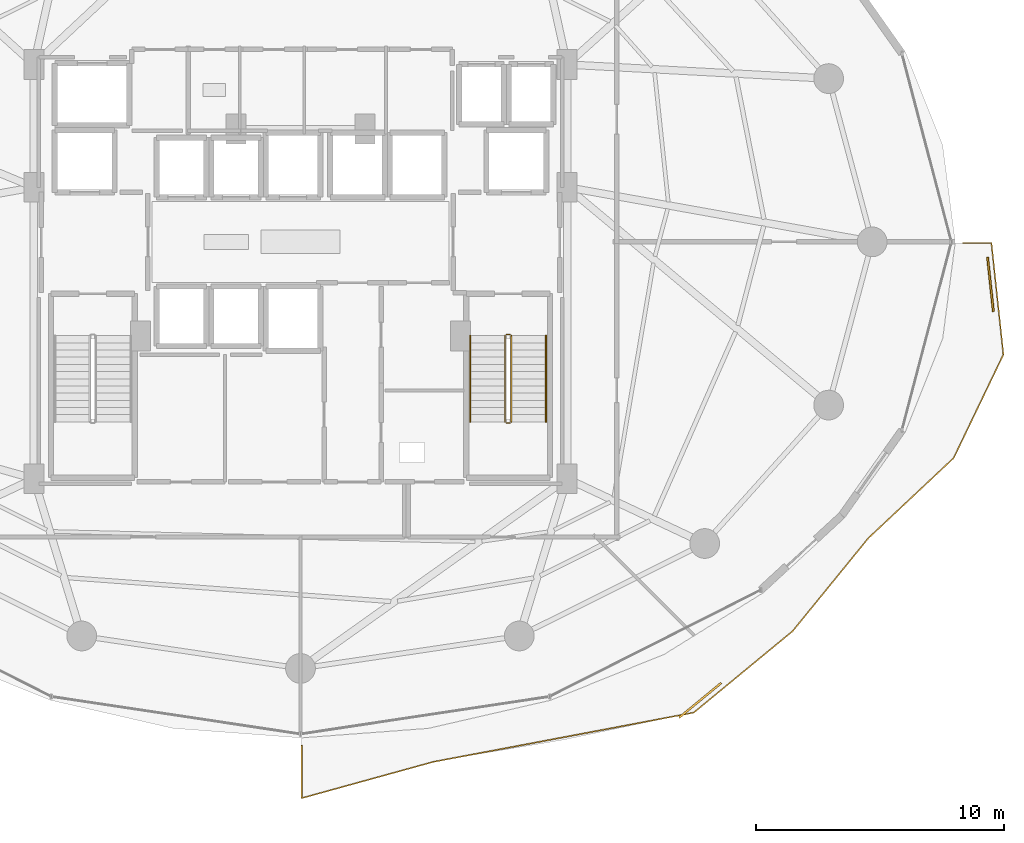
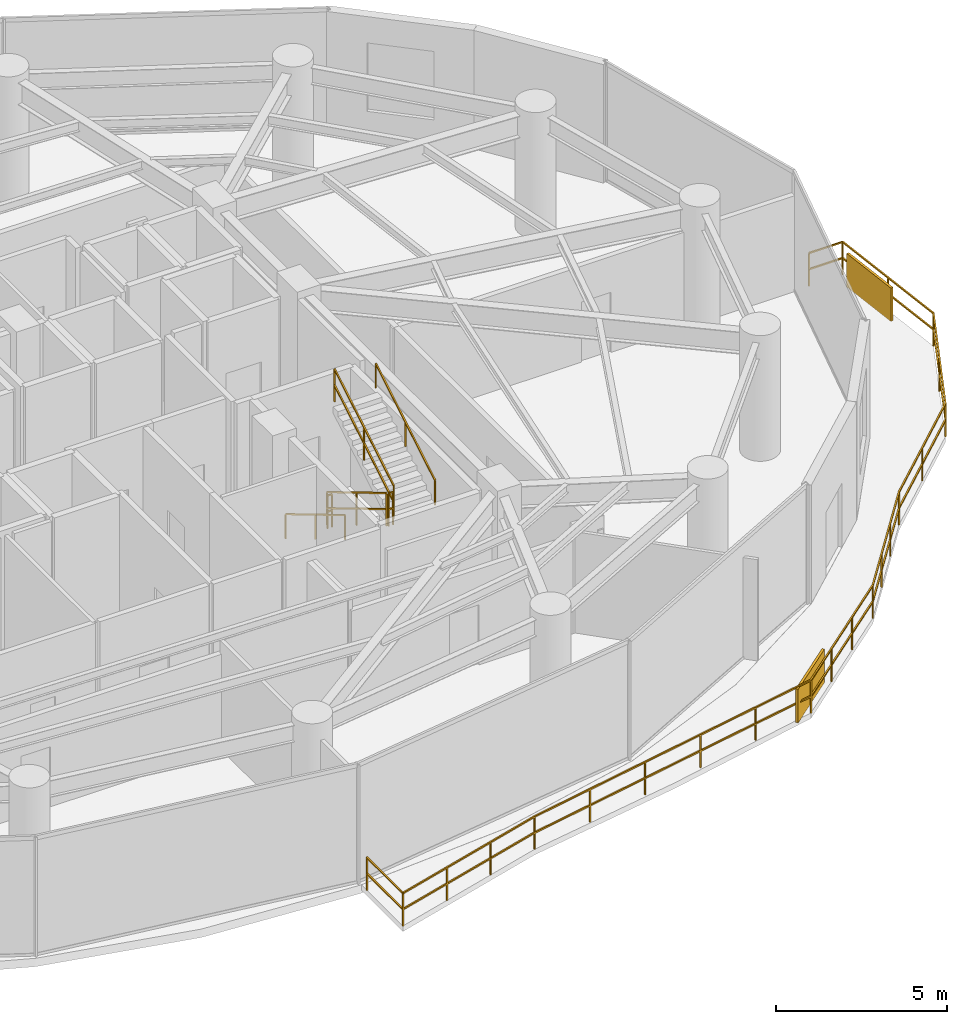
# One storey, part 25 of 27: 8 railings, 2 shading devices.
"""IFC4 building model written with IfcOpenShell, lengths in metres."""

from ifc_helpers import new_model, si_unit, direction, frame, origin, origin_2d, place, context, subcontext, project, spatial, rectangle, extrude, material, type_object, element, save


model = new_model("IFC4")

# Units and contexts
model_context = context("Model", 3, precision=1e-05, world=origin(), true_north=direction((0.0, 1.0)))
body_context = subcontext(model_context, "Body", "Model", "MODEL_VIEW")
ifc_project = project(units=[si_unit("LENGTHUNIT", "METRE"), si_unit("AREAUNIT", "SQUARE_METRE"), si_unit("VOLUMEUNIT", "CUBIC_METRE"), si_unit("PLANEANGLEUNIT", "RADIAN"), si_unit("MASSUNIT", "GRAM", prefix="KILO")], contexts=[model_context])

# Site, building, storey
site_placement = place(None, origin())
site = spatial("IfcSite", under=ifc_project, at=site_placement, CompositionType="ELEMENT")
building_placement = place(site_placement, origin())
building = spatial("IfcBuilding", under=site, at=building_placement, Name="Vorneva Point Tower", CompositionType="ELEMENT")
storey_placement = place(building_placement, frame((0.0, 0.0, 74.300048828125)))
storey = spatial("IfcBuildingStorey", under=building, at=storey_placement, Name="L19", CompositionType="ELEMENT", Elevation=74.300048828125)

# Railings
ifc_material_1 = material(Name="Pale anodised aluminium", Category="aluminium")
railing_type_1 = type_object("IfcRailingType", Name="RL-BAL-1200", PredefinedType="BALUSTRADE", material=ifc_material_1)
railing_1_placement = place(storey_placement, frame((66.341796875, 21.455078125, 0.0)))
element("IfcRailing", 1, at=railing_1_placement, inside=storey, type_object=railing_type_1, Name="L19 Wave Balcony Balustrade SE.1", PredefinedType="BALUSTRADE", context=body_context, shape_type="SweptSolid", body=[
    extrude(rectangle(XDim=0.048095703125, YDim=0.048095703125, at=origin_2d()), frame((0.0, 0.0, 1.17578125), z_axis=(-0.106500706091, 0.994312626694, 0.0), x_axis=(-0.994312626694, -0.106500706091, 0.0)), (0.0, 0.0, 1.0), 4.5205078125),
    extrude(rectangle(XDim=0.048095703125, YDim=0.048095703125, at=origin_2d()), frame((0.0, 0.0, 0.60009765625), z_axis=(-0.106500706091, 0.994312626694, 0.0), x_axis=(-0.994312626694, -0.106500706091, 0.0)), (0.0, 0.0, 1.0), 4.5205078125),
    extrude(rectangle(XDim=0.048095703125, YDim=0.048095703125, at=origin_2d()), frame((-0.4814453125, 4.494873046875, 1.17578125), z_axis=(-1.0, 0.0, 0.0), x_axis=(0.0, -1.0, 0.0)), (0.0, 0.0, 1.0), 1.14404296875),
    extrude(rectangle(XDim=0.048095703125, YDim=0.048095703125, at=origin_2d()), frame((-0.4814453125, 4.494873046875, 0.60009765625), z_axis=(-1.0, 0.0, 0.0), x_axis=(0.0, -1.0, 0.0)), (0.0, 0.0, 1.0), 1.14404296875),
    extrude(rectangle(XDim=0.0419921875, YDim=0.0419921875, at=origin_2d()), origin(), (0.0, 0.0, 1.0), 1.15185546875),
    extrude(rectangle(XDim=0.0419921875, YDim=0.0419921875, at=origin_2d()), frame((-0.24072265625, 2.24755859375, 0.0)), (0.0, 0.0, 1.0), 1.15185546875),
    extrude(rectangle(XDim=0.0419921875, YDim=0.0419921875, at=origin_2d()), frame((-0.4814453125, 4.494873046875, 0.0)), (0.0, 0.0, 1.0), 1.15185546875),
    extrude(rectangle(XDim=0.0419921875, YDim=0.0419921875, at=origin_2d()), frame((-1.62548828125, 4.494873046875, 0.0)), (0.0, 0.0, 1.0), 1.15185546875),
])
railing_2_placement = place(storey_placement, frame((38.050048828125, 5.682861328125, 0.0)))
element("IfcRailing", 2, at=railing_2_placement, inside=storey, type_object=railing_type_1, Name="L19 Wave Balcony Balustrade SE.2", PredefinedType="BALUSTRADE", context=body_context, shape_type="SweptSolid", body=[
    extrude(rectangle(XDim=0.048095703125, YDim=0.048095703125, at=origin_2d()), frame((0.0, 0.0, 1.17578125), z_axis=(0.0, -1.0, 0.0), x_axis=(1.0, 0.0, 0.0)), (0.0, 0.0, 1.0), 2.114013671875),
    extrude(rectangle(XDim=0.048095703125, YDim=0.048095703125, at=origin_2d()), frame((0.0, 0.0, 0.60009765625), z_axis=(0.0, -1.0, 0.0), x_axis=(1.0, 0.0, 0.0)), (0.0, 0.0, 1.0), 2.114013671875),
    extrude(rectangle(XDim=0.048095703125, YDim=0.048095703125, at=origin_2d()), frame((0.0, -2.114013671875, 1.17578125), z_axis=(0.964019677503, 0.265830888701, 0.0), x_axis=(-0.265830888701, 0.964019677503, 0.0)), (0.0, 0.0, 1.0), 5.502197265625),
    extrude(rectangle(XDim=0.048095703125, YDim=0.048095703125, at=origin_2d()), frame((0.0, -2.114013671875, 0.60009765625), z_axis=(0.964019677503, 0.265830888701, 0.0), x_axis=(-0.265830888701, 0.964019677503, 0.0)), (0.0, 0.0, 1.0), 5.502197265625),
    extrude(rectangle(XDim=0.048095703125, YDim=0.048095703125, at=origin_2d()), frame((5.30419921875, -0.6513671875, 1.17578125), z_axis=(0.982576445985, 0.185858892161, 0.0), x_axis=(-0.185858892161, 0.982576445985, 0.0)), (0.0, 0.0, 1.0), 10.68994140625),
    extrude(rectangle(XDim=0.048095703125, YDim=0.048095703125, at=origin_2d()), frame((5.30419921875, -0.6513671875, 0.60009765625), z_axis=(0.982576445985, 0.185858892161, 0.0), x_axis=(-0.185858892161, 0.982576445985, 0.0)), (0.0, 0.0, 1.0), 10.68994140625),
    extrude(rectangle(XDim=0.048095703125, YDim=0.048095703125, at=origin_2d()), frame((15.807861328125, 1.33544921875, 1.17578125), z_axis=(0.771788350343, 0.635879502952, 0.0), x_axis=(-0.635879502952, 0.771788350343, 0.0)), (0.0, 0.0, 1.0), 5.166259765625),
    extrude(rectangle(XDim=0.048095703125, YDim=0.048095703125, at=origin_2d()), frame((15.807861328125, 1.33544921875, 0.60009765625), z_axis=(0.771788350343, 0.635879502952, 0.0), x_axis=(-0.635879502952, 0.771788350343, 0.0)), (0.0, 0.0, 1.0), 5.166259765625),
    extrude(rectangle(XDim=0.048095703125, YDim=0.048095703125, at=origin_2d()), frame((19.795166015625, 4.62060546875, 1.17578125), z_axis=(0.631402054213, 0.775455637633, 0.0), x_axis=(-0.775455637633, 0.631402054213, 0.0)), (0.0, 0.0, 1.0), 4.835205078125),
    extrude(rectangle(XDim=0.048095703125, YDim=0.048095703125, at=origin_2d()), frame((19.795166015625, 4.62060546875, 0.60009765625), z_axis=(0.631402054213, 0.775455637633, 0.0), x_axis=(-0.775455637633, 0.631402054213, 0.0)), (0.0, 0.0, 1.0), 4.835205078125),
    extrude(rectangle(XDim=0.048095703125, YDim=0.048095703125, at=origin_2d()), frame((22.84814453125, 8.3701171875, 1.17578125), z_axis=(0.728912249194, 0.68460713769, 0.0), x_axis=(-0.68460713769, 0.728912249194, 0.0)), (0.0, 0.0, 1.0), 4.717041015625),
    extrude(rectangle(XDim=0.048095703125, YDim=0.048095703125, at=origin_2d()), frame((22.84814453125, 8.3701171875, 0.60009765625), z_axis=(0.728912249194, 0.68460713769, 0.0), x_axis=(-0.68460713769, 0.728912249194, 0.0)), (0.0, 0.0, 1.0), 4.717041015625),
    extrude(rectangle(XDim=0.048095703125, YDim=0.048095703125, at=origin_2d()), frame((26.286376953125, 11.599365234375, 1.17578125), z_axis=(0.433152750876, 0.901320528119, 0.0), x_axis=(-0.901320528119, 0.433152750876, 0.0)), (0.0, 0.0, 1.0), 4.629638671875),
    extrude(rectangle(XDim=0.048095703125, YDim=0.048095703125, at=origin_2d()), frame((26.286376953125, 11.599365234375, 0.60009765625), z_axis=(0.433152750876, 0.901320528119, 0.0), x_axis=(-0.901320528119, 0.433152750876, 0.0)), (0.0, 0.0, 1.0), 4.629638671875),
    extrude(rectangle(XDim=0.0419921875, YDim=0.0419921875, at=origin_2d()), origin(), (0.0, 0.0, 1.0), 1.15185546875),
    extrude(rectangle(XDim=0.0419921875, YDim=0.0419921875, at=origin_2d()), frame((0.0, -2.114013671875, 0.0)), (0.0, 0.0, 1.0), 1.15185546875),
    extrude(rectangle(XDim=0.0419921875, YDim=0.0419921875, at=origin_2d()), frame((1.76806640625, -1.62646484375, 0.0)), (0.0, 0.0, 1.0), 1.15185546875),
    extrude(rectangle(XDim=0.0419921875, YDim=0.0419921875, at=origin_2d()), frame((3.5361328125, -1.138916015625, 0.0)), (0.0, 0.0, 1.0), 1.15185546875),
    extrude(rectangle(XDim=0.0419921875, YDim=0.0419921875, at=origin_2d()), frame((5.30419921875, -0.6513671875, 0.0)), (0.0, 0.0, 1.0), 1.15185546875),
    extrude(rectangle(XDim=0.0419921875, YDim=0.0419921875, at=origin_2d()), frame((7.405029296875, -0.25390625, 0.0)), (0.0, 0.0, 1.0), 1.15185546875),
    extrude(rectangle(XDim=0.0419921875, YDim=0.0419921875, at=origin_2d()), frame((9.505615234375, 0.143310546875, 0.0)), (0.0, 0.0, 1.0), 1.15185546875),
    extrude(rectangle(XDim=0.0419921875, YDim=0.0419921875, at=origin_2d()), frame((11.6064453125, 0.540771484375, 0.0)), (0.0, 0.0, 1.0), 1.15185546875),
    extrude(rectangle(XDim=0.0419921875, YDim=0.0419921875, at=origin_2d()), frame((13.70703125, 0.93798828125, 0.0)), (0.0, 0.0, 1.0), 1.15185546875),
    extrude(rectangle(XDim=0.0419921875, YDim=0.0419921875, at=origin_2d()), frame((15.807861328125, 1.33544921875, 0.0)), (0.0, 0.0, 1.0), 1.15185546875),
    extrude(rectangle(XDim=0.0419921875, YDim=0.0419921875, at=origin_2d()), frame((17.136962890625, 2.430419921875, 0.0)), (0.0, 0.0, 1.0), 1.15185546875),
    extrude(rectangle(XDim=0.0419921875, YDim=0.0419921875, at=origin_2d()), frame((18.466064453125, 3.525634765625, 0.0)), (0.0, 0.0, 1.0), 1.15185546875),
    extrude(rectangle(XDim=0.0419921875, YDim=0.0419921875, at=origin_2d()), frame((19.795166015625, 4.62060546875, 0.0)), (0.0, 0.0, 1.0), 1.15185546875),
    extrude(rectangle(XDim=0.0419921875, YDim=0.0419921875, at=origin_2d()), frame((20.812744140625, 5.870361328125, 0.0)), (0.0, 0.0, 1.0), 1.15185546875),
    extrude(rectangle(XDim=0.0419921875, YDim=0.0419921875, at=origin_2d()), frame((21.83056640625, 7.120361328125, 0.0)), (0.0, 0.0, 1.0), 1.15185546875),
    extrude(rectangle(XDim=0.0419921875, YDim=0.0419921875, at=origin_2d()), frame((22.84814453125, 8.3701171875, 0.0)), (0.0, 0.0, 1.0), 1.15185546875),
    extrude(rectangle(XDim=0.0419921875, YDim=0.0419921875, at=origin_2d()), frame((24.5673828125, 9.98486328125, 0.0)), (0.0, 0.0, 1.0), 1.15185546875),
    extrude(rectangle(XDim=0.0419921875, YDim=0.0419921875, at=origin_2d()), frame((26.286376953125, 11.599365234375, 0.0)), (0.0, 0.0, 1.0), 1.15185546875),
    extrude(rectangle(XDim=0.0419921875, YDim=0.0419921875, at=origin_2d()), frame((27.2890625, 13.685791015625, 0.0)), (0.0, 0.0, 1.0), 1.15185546875),
    extrude(rectangle(XDim=0.0419921875, YDim=0.0419921875, at=origin_2d()), frame((28.291748046875, 15.772216796875, 0.0)), (0.0, 0.0, 1.0), 1.15185546875),
])
ifc_material_2 = material(Name="Brushed stainless steel S304", Category="steel")
railing_type_2 = type_object("IfcRailingType", Name="RL-HND-920", PredefinedType="HANDRAIL", material=ifc_material_2)
railing_3_placement = place(storey_placement, frame((44.85009765625, 22.219970703125, 0.173095703125)))
element("IfcRailing", 3, at=railing_3_placement, inside=storey, type_object=railing_type_2, Name="L19 ST2 stair handrail 1", PredefinedType="HANDRAIL", context=body_context, shape_type="SweptSolid", body=[
    extrude(rectangle(XDim=0.048095703125, YDim=0.048095703125, at=origin_2d()), frame((0.0, 0.0, 0.8759765625), z_axis=(0.0, -0.858697190188, 0.512483302717), x_axis=(1.0, 0.0, 0.0)), (0.0, 0.0, 1.0), 4.052734375),
    extrude(rectangle(XDim=0.0419921875, YDim=0.0419921875, at=origin_2d()), origin(), (0.0, 0.0, 1.0), 0.851806640625),
    extrude(rectangle(XDim=0.0419921875, YDim=0.0419921875, at=origin_2d()), frame((0.0, -1.739990234375, 1.03857421875)), (0.0, 0.0, 1.0), 0.851806640625),
    extrude(rectangle(XDim=0.0419921875, YDim=0.0419921875, at=origin_2d()), frame((0.0, -3.47998046875, 2.076904296875)), (0.0, 0.0, 1.0), 0.851806640625),
])
railing_4_placement = place(storey_placement, frame((47.89990234375, 18.739990234375, 2.423095703125)))
element("IfcRailing", 4, at=railing_4_placement, inside=storey, type_object=railing_type_2, Name="L19 ST2 stair handrail 2", PredefinedType="HANDRAIL", context=body_context, shape_type="SweptSolid", body=[
    extrude(rectangle(XDim=0.048095703125, YDim=0.048095703125, at=origin_2d()), frame((0.0, 0.0, 0.8759765625), z_axis=(0.0, 0.858697190188, 0.512483302717), x_axis=(-1.0, 0.0, 0.0)), (0.0, 0.0, 1.0), 4.052734375),
    extrude(rectangle(XDim=0.0419921875, YDim=0.0419921875, at=origin_2d()), origin(), (0.0, 0.0, 1.0), 0.851806640625),
    extrude(rectangle(XDim=0.0419921875, YDim=0.0419921875, at=origin_2d()), frame((0.0, 1.739990234375, 1.03857421875)), (0.0, 0.0, 1.0), 0.851806640625),
    extrude(rectangle(XDim=0.0419921875, YDim=0.0419921875, at=origin_2d()), frame((0.0, 3.47998046875, 2.076904296875)), (0.0, 0.0, 1.0), 0.851806640625),
])
railing_type_3 = type_object("IfcRailingType", Name="RL-STG-1100", PredefinedType="GUARDRAIL", material=ifc_material_2)
railing_5_placement = place(storey_placement, frame((46.25, 22.219970703125, 0.173095703125)))
element("IfcRailing", 5, at=railing_5_placement, inside=storey, type_object=railing_type_3, Name="L19 ST2 stair guard 1", PredefinedType="GUARDRAIL", context=body_context, shape_type="SweptSolid", body=[
    extrude(rectangle(XDim=0.048095703125, YDim=0.048095703125, at=origin_2d()), frame((0.0, 0.0, 1.17578125), z_axis=(0.0, -0.858697190188, 0.512483302717), x_axis=(1.0, 0.0, 0.0)), (0.0, 0.0, 1.0), 4.052734375),
    extrude(rectangle(XDim=0.048095703125, YDim=0.048095703125, at=origin_2d()), frame((0.0, 0.0, 0.60009765625), z_axis=(0.0, -0.858697190188, 0.512483302717), x_axis=(1.0, 0.0, 0.0)), (0.0, 0.0, 1.0), 4.052734375),
    extrude(rectangle(XDim=0.0419921875, YDim=0.0419921875, at=origin_2d()), origin(), (0.0, 0.0, 1.0), 1.15185546875),
    extrude(rectangle(XDim=0.0419921875, YDim=0.0419921875, at=origin_2d()), frame((0.0, -1.739990234375, 1.03857421875)), (0.0, 0.0, 1.0), 1.15185546875),
    extrude(rectangle(XDim=0.0419921875, YDim=0.0419921875, at=origin_2d()), frame((0.0, -3.47998046875, 2.076904296875)), (0.0, 0.0, 1.0), 1.15185546875),
])
railing_6_placement = place(storey_placement, frame((46.300048828125, 18.68994140625, 2.25)))
element("IfcRailing", 6, at=railing_6_placement, inside=storey, type_object=railing_type_3, Name="L19 ST2 stair guard 2", PredefinedType="GUARDRAIL", context=body_context, shape_type="SweptSolid", body=[
    extrude(rectangle(XDim=0.048095703125, YDim=0.048095703125, at=origin_2d()), frame((0.0, 0.0, 1.17578125), z_axis=(1.0, 0.0, 0.0), x_axis=(0.0, 1.0, 0.0)), (0.0, 0.0, 1.0), 0.14990234375),
    extrude(rectangle(XDim=0.048095703125, YDim=0.048095703125, at=origin_2d()), frame((0.0, 0.0, 0.60009765625), z_axis=(1.0, 0.0, 0.0), x_axis=(0.0, 1.0, 0.0)), (0.0, 0.0, 1.0), 0.14990234375),
    extrude(rectangle(XDim=0.0419921875, YDim=0.0419921875, at=origin_2d()), origin(), (0.0, 0.0, 1.0), 1.15185546875),
    extrude(rectangle(XDim=0.0419921875, YDim=0.0419921875, at=origin_2d()), frame((0.14990234375, 0.0, 0.0)), (0.0, 0.0, 1.0), 1.15185546875),
])
railing_7_placement = place(storey_placement, frame((46.5, 18.739990234375, 2.423095703125)))
element("IfcRailing", 7, at=railing_7_placement, inside=storey, type_object=railing_type_3, Name="L19 ST2 stair guard 3", PredefinedType="GUARDRAIL", context=body_context, shape_type="SweptSolid", body=[
    extrude(rectangle(XDim=0.048095703125, YDim=0.048095703125, at=origin_2d()), frame((0.0, 0.0, 1.17578125), z_axis=(0.0, 0.858697190188, 0.512483302717), x_axis=(-1.0, 0.0, 0.0)), (0.0, 0.0, 1.0), 4.052734375),
    extrude(rectangle(XDim=0.048095703125, YDim=0.048095703125, at=origin_2d()), frame((0.0, 0.0, 0.60009765625), z_axis=(0.0, 0.858697190188, 0.512483302717), x_axis=(-1.0, 0.0, 0.0)), (0.0, 0.0, 1.0), 4.052734375),
    extrude(rectangle(XDim=0.0419921875, YDim=0.0419921875, at=origin_2d()), origin(), (0.0, 0.0, 1.0), 1.15185546875),
    extrude(rectangle(XDim=0.0419921875, YDim=0.0419921875, at=origin_2d()), frame((0.0, 1.739990234375, 1.03857421875)), (0.0, 0.0, 1.0), 1.15185546875),
    extrude(rectangle(XDim=0.0419921875, YDim=0.0419921875, at=origin_2d()), frame((0.0, 3.47998046875, 2.076904296875)), (0.0, 0.0, 1.0), 1.15185546875),
])
railing_8_placement = place(storey_placement, frame((46.300048828125, 22.27001953125, 0.0)))
element("IfcRailing", 8, at=railing_8_placement, inside=storey, type_object=railing_type_3, Name="L19 ST2 stair guard 4", PredefinedType="GUARDRAIL", context=body_context, shape_type="SweptSolid", body=[
    extrude(rectangle(XDim=0.048095703125, YDim=0.048095703125, at=origin_2d()), frame((0.0, 0.0, 1.17578125), z_axis=(1.0, 0.0, 0.0), x_axis=(0.0, 1.0, 0.0)), (0.0, 0.0, 1.0), 0.14990234375),
    extrude(rectangle(XDim=0.048095703125, YDim=0.048095703125, at=origin_2d()), frame((0.0, 0.0, 0.60009765625), z_axis=(1.0, 0.0, 0.0), x_axis=(0.0, 1.0, 0.0)), (0.0, 0.0, 1.0), 0.14990234375),
    extrude(rectangle(XDim=0.0419921875, YDim=0.0419921875, at=origin_2d()), origin(), (0.0, 0.0, 1.0), 1.15185546875),
    extrude(rectangle(XDim=0.0419921875, YDim=0.0419921875, at=origin_2d()), frame((0.14990234375, 0.0, 0.0)), (0.0, 0.0, 1.0), 1.15185546875),
])

# Shading devices
shading_device_type = type_object("IfcShadingDeviceType", Name="SHD-JAL-1200", PredefinedType="JALOUSIE", material=ifc_material_1)
for number, where, z_axis, x_axis, name in (
    (9, (65.820556640625, 24.284912109375, -0.02001953125), (0.0, 0.0, 1.0), (-0.106472322656, 0.99431566643, 0.0), "L19 Balcony Vertical-Greenery Planter Screen SE.1"),
    (10, (54.114501953125, 7.514892578125, -0.02001953125), (0.0, 0.0, 1.0), (0.771779983581, 0.635889657837, 0.0), "L19 Balcony Vertical-Greenery Planter Screen SE.2"),
):
    element("IfcShadingDevice", number, at=place(storey_placement, frame(where, z_axis=z_axis, x_axis=x_axis)), inside=storey, type_object=shading_device_type, Name=name, PredefinedType="JALOUSIE", context=body_context, shape_type="SweptSolid", body=[
        extrude(rectangle(XDim=2.199951171875, YDim=0.080078125, at=origin_2d()), origin(), (0.0, 0.0, 1.0), 1.199951171875),
    ])

save(model, "model.ifc")
